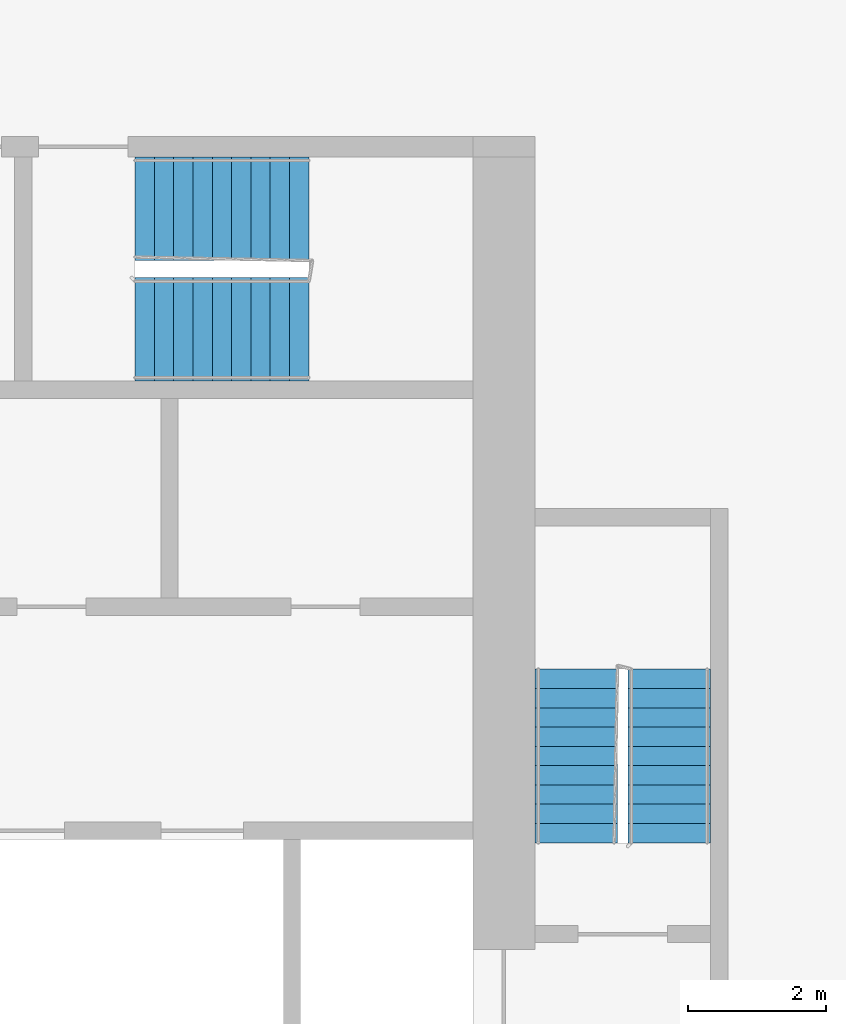
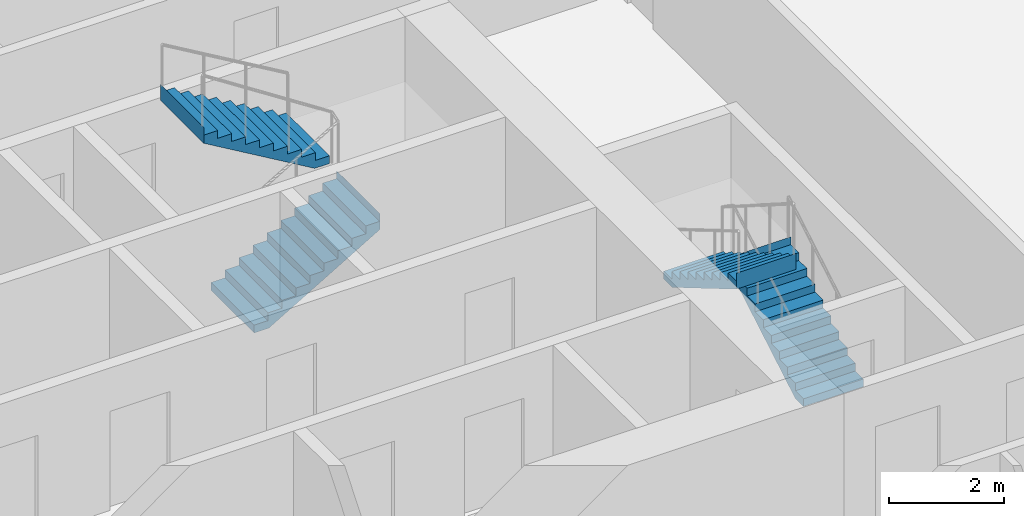
# One storey, part 10 of 11: 4 stair flights, 2 elements without a shape of their own.
"""IFC4 building model written with IfcOpenShell, lengths in metres."""

from ifc_helpers import new_model, si_unit, direction, frame, origin, place, context, subcontext, project, spatial, faceted_brep, material, type_object, element, aggregate, save


model = new_model("IFC4")

# Units and contexts
model_context = context("Model", 3, precision=1e-05, world=origin(), true_north=direction((0.0, 1.0)))
body_context = subcontext(model_context, "Body", "Model", "MODEL_VIEW")
ifc_project = project(units=[si_unit("LENGTHUNIT", "METRE"), si_unit("AREAUNIT", "SQUARE_METRE"), si_unit("VOLUMEUNIT", "CUBIC_METRE"), si_unit("PLANEANGLEUNIT", "RADIAN"), si_unit("MASSUNIT", "GRAM", prefix="KILO")], contexts=[model_context])

# Site, building, storey
site_placement = place(None, origin())
site = spatial("IfcSite", under=ifc_project, at=site_placement, CompositionType="ELEMENT")
building_placement = place(site_placement, origin())
building = spatial("IfcBuilding", under=site, at=building_placement, Name="Kajstack Hotel Tower", CompositionType="ELEMENT")
storey_placement = place(building_placement, frame((0.0, 0.0, 250.699951171875)))
storey = spatial("IfcBuildingStorey", under=building, at=storey_placement, Name="L62", CompositionType="ELEMENT", Elevation=250.699951171875)

# Stair, stair flights
ifc_material = material(Name="Concrete C40/50", Category="concrete")
stair_type_1 = type_object("IfcStairType", Name="Exit stair 1200", PredefinedType="HALF_TURN_STAIR", material=ifc_material)
stair_1_placement = place(storey_placement, origin())
stair_1 = element("IfcStair", 1, at=stair_1_placement, inside=storey, type_object=stair_type_1, Name="L62 stair E1", PredefinedType="HALF_TURN_STAIR")
stair_flight_type_1 = type_object("IfcStairFlightType", Name="Exit stair flight 1200", PredefinedType="STRAIGHT", material=ifc_material)
stair_flight_1_placement = place(storey_placement, frame((33.449951171875, 5.25, 0.0), z_axis=(0.0, 0.0, 1.0), x_axis=(0.0, 1.0, 0.0)))
stair_flight_1 = element("IfcStairFlight", 2, at=stair_flight_1_placement, type_object=stair_flight_type_1, Name="E1 flight 1", NumberOfRisers=10, NumberOfTreads=9, PredefinedType="STRAIGHT", RiserHeight=0.165, TreadLength=0.28, context=body_context, shape_type="Brep", body=[
    faceted_brep([(0.295654296875, -0.60009765625, 0.0), (2.5205078125, -0.60009765625, 1.31103515625), (2.5205078125, -0.60009765625, 1.64990234375), (2.52001953125, -0.60009765625, 1.64990234375), (2.52001953125, -0.60009765625, 1.485107421875), (2.239990234375, -0.60009765625, 1.485107421875), (2.239990234375, -0.60009765625, 1.320068359375), (1.9599609375, -0.60009765625, 1.320068359375), (1.9599609375, -0.60009765625, 1.155029296875), (1.679931640625, -0.60009765625, 1.155029296875), (1.679931640625, -0.60009765625, 0.989990234375), (1.39990234375, -0.60009765625, 0.989990234375), (1.39990234375, -0.60009765625, 0.824951171875), (1.1201171875, -0.60009765625, 0.824951171875), (1.1201171875, -0.60009765625, 0.659912109375), (0.840087890625, -0.60009765625, 0.659912109375), (0.840087890625, -0.60009765625, 0.4951171875), (0.56005859375, -0.60009765625, 0.4951171875), (0.56005859375, -0.60009765625, 0.330078125), (0.280029296875, -0.60009765625, 0.330078125), (0.280029296875, -0.60009765625, 0.1650390625), (-0.00048828125, -0.60009765625, 0.1650390625), (-0.00048828125, -0.60009765625, 0.0), (-0.00048828125, 0.60009765625, 0.0), (-0.00048828125, 0.60009765625, 0.1650390625), (0.280029296875, 0.60009765625, 0.1650390625), (0.280029296875, 0.60009765625, 0.330078125), (0.56005859375, 0.60009765625, 0.330078125), (0.56005859375, 0.60009765625, 0.4951171875), (0.840087890625, 0.60009765625, 0.4951171875), (0.840087890625, 0.60009765625, 0.659912109375), (1.1201171875, 0.60009765625, 0.659912109375), (1.1201171875, 0.60009765625, 0.824951171875), (1.39990234375, 0.60009765625, 0.824951171875), (1.39990234375, 0.60009765625, 0.989990234375), (1.679931640625, 0.60009765625, 0.989990234375), (1.679931640625, 0.60009765625, 1.155029296875), (1.9599609375, 0.60009765625, 1.155029296875), (1.9599609375, 0.60009765625, 1.320068359375), (2.239990234375, 0.60009765625, 1.320068359375), (2.239990234375, 0.60009765625, 1.485107421875), (2.52001953125, 0.60009765625, 1.485107421875), (2.52001953125, 0.60009765625, 1.64990234375), (2.5205078125, 0.60009765625, 1.64990234375), (2.5205078125, 0.60009765625, 1.31103515625), (0.295654296875, 0.60009765625, 0.0), (-0.00048828125, -0.300048828125, 0.1650390625), (-0.00048828125, 0.0, 0.1650390625), (-0.00048828125, 0.300048828125, 0.1650390625), (-0.00048828125, 0.300048828125, 0.0), (-0.00048828125, 0.0, 0.0), (-0.00048828125, -0.300048828125, 0.0), (0.280029296875, -0.300048828125, 0.1650390625), (0.280029296875, 0.0, 0.1650390625), (0.280029296875, 0.300048828125, 0.1650390625), (0.280029296875, -0.300048828125, 0.330078125), (0.280029296875, 0.0, 0.330078125), (0.280029296875, 0.300048828125, 0.330078125), (0.56005859375, -0.300048828125, 0.330078125), (0.56005859375, 0.0, 0.330078125), (0.56005859375, 0.300048828125, 0.330078125), (0.56005859375, -0.300048828125, 0.4951171875), (0.56005859375, 0.0, 0.4951171875), (0.56005859375, 0.300048828125, 0.4951171875), (0.840087890625, -0.300048828125, 0.4951171875), (0.840087890625, 0.0, 0.4951171875), (0.840087890625, 0.300048828125, 0.4951171875), (0.840087890625, -0.300048828125, 0.659912109375), (0.840087890625, 0.0, 0.659912109375), (0.840087890625, 0.300048828125, 0.659912109375), (1.1201171875, -0.300048828125, 0.659912109375), (1.1201171875, 0.0, 0.659912109375), (1.1201171875, 0.300048828125, 0.659912109375), (1.1201171875, -0.300048828125, 0.824951171875), (1.1201171875, 0.0, 0.824951171875), (1.1201171875, 0.300048828125, 0.824951171875), (1.39990234375, -0.300048828125, 0.824951171875), (1.39990234375, 0.0, 0.824951171875), (1.39990234375, 0.300048828125, 0.824951171875), (1.39990234375, -0.300048828125, 0.989990234375), (1.39990234375, 0.0, 0.989990234375), (1.39990234375, 0.300048828125, 0.989990234375), (1.679931640625, -0.300048828125, 0.989990234375), (1.679931640625, 0.0, 0.989990234375), (1.679931640625, 0.300048828125, 0.989990234375), (1.679931640625, -0.300048828125, 1.155029296875), (1.679931640625, 0.0, 1.155029296875), (1.679931640625, 0.300048828125, 1.155029296875), (1.9599609375, -0.300048828125, 1.155029296875), (1.9599609375, 0.0, 1.155029296875), (1.9599609375, 0.300048828125, 1.155029296875), (1.9599609375, -0.300048828125, 1.320068359375), (1.9599609375, 0.0, 1.320068359375), (1.9599609375, 0.300048828125, 1.320068359375), (2.239990234375, -0.300048828125, 1.320068359375), (2.239990234375, 0.0, 1.320068359375), (2.239990234375, 0.300048828125, 1.320068359375), (2.239990234375, -0.300048828125, 1.485107421875), (2.239990234375, 0.0, 1.485107421875), (2.239990234375, 0.300048828125, 1.485107421875), (2.52001953125, -0.300048828125, 1.485107421875), (2.52001953125, 0.0, 1.485107421875), (2.52001953125, 0.300048828125, 1.485107421875), (2.52001953125, -0.300048828125, 1.64990234375), (2.52001953125, 0.0, 1.64990234375), (2.52001953125, 0.300048828125, 1.64990234375), (2.5205078125, -0.300048828125, 1.64990234375), (2.5205078125, 0.0, 1.64990234375), (2.5205078125, 0.300048828125, 1.64990234375), (2.5205078125, -0.300048828125, 1.31103515625), (2.5205078125, 0.0, 1.31103515625), (2.5205078125, 0.300048828125, 1.31103515625), (0.295654296875, -0.300048828125, 0.0), (0.295654296875, 0.0, 0.0), (0.295654296875, 0.300048828125, 0.0)], [[[0, 1, 2, 3, 4, 5, 6, 7, 8, 9, 10, 11, 12, 13, 14, 15, 16, 17, 18, 19, 20, 21, 22]], [[23, 24, 25, 26, 27, 28, 29, 30, 31, 32, 33, 34, 35, 36, 37, 38, 39, 40, 41, 42, 43, 44, 45]], [[21, 46, 47, 48, 24, 23, 49, 50, 51, 22]], [[20, 52, 53, 54, 25, 24, 48, 47, 46, 21]], [[19, 55, 56, 57, 26, 25, 54, 53, 52, 20]], [[18, 58, 59, 60, 27, 26, 57, 56, 55, 19]], [[17, 61, 62, 63, 28, 27, 60, 59, 58, 18]], [[16, 64, 65, 66, 29, 28, 63, 62, 61, 17]], [[15, 67, 68, 69, 30, 29, 66, 65, 64, 16]], [[14, 70, 71, 72, 31, 30, 69, 68, 67, 15]], [[13, 73, 74, 75, 32, 31, 72, 71, 70, 14]], [[12, 76, 77, 78, 33, 32, 75, 74, 73, 13]], [[11, 79, 80, 81, 34, 33, 78, 77, 76, 12]], [[10, 82, 83, 84, 35, 34, 81, 80, 79, 11]], [[9, 85, 86, 87, 36, 35, 84, 83, 82, 10]], [[8, 88, 89, 90, 37, 36, 87, 86, 85, 9]], [[7, 91, 92, 93, 38, 37, 90, 89, 88, 8]], [[6, 94, 95, 96, 39, 38, 93, 92, 91, 7]], [[5, 97, 98, 99, 40, 39, 96, 95, 94, 6]], [[4, 100, 101, 102, 41, 40, 99, 98, 97, 5]], [[3, 103, 104, 105, 42, 41, 102, 101, 100, 4]], [[2, 106, 107, 108, 43, 42, 105, 104, 103, 3]], [[1, 109, 110, 111, 44, 43, 108, 107, 106, 2]], [[0, 112, 113, 114, 45, 44, 111, 110, 109, 1]], [[22, 51, 50, 49, 23, 45, 114, 113, 112, 0]]]),
])
stair_flight_2_placement = place(storey_placement, frame((32.10009765625, 7.77001953125, 1.650146484375), z_axis=(0.0, 0.0, 1.0), x_axis=(0.0, -1.0, 0.0)))
stair_flight_2 = element("IfcStairFlight", 3, at=stair_flight_2_placement, type_object=stair_flight_type_1, Name="E1 flight 2", NumberOfRisers=10, NumberOfTreads=9, PredefinedType="STRAIGHT", RiserHeight=0.165, TreadLength=0.28, context=body_context, shape_type="Brep", body=[
    faceted_brep([(0.295654296875, -0.60009765625, 0.0), (2.5205078125, -0.60009765625, 1.31103515625), (2.5205078125, -0.60009765625, 1.64990234375), (2.52001953125, -0.60009765625, 1.64990234375), (2.52001953125, -0.60009765625, 1.485107421875), (2.239990234375, -0.60009765625, 1.485107421875), (2.239990234375, -0.60009765625, 1.320068359375), (1.9599609375, -0.60009765625, 1.320068359375), (1.9599609375, -0.60009765625, 1.155029296875), (1.679931640625, -0.60009765625, 1.155029296875), (1.679931640625, -0.60009765625, 0.989990234375), (1.39990234375, -0.60009765625, 0.989990234375), (1.39990234375, -0.60009765625, 0.824951171875), (1.1201171875, -0.60009765625, 0.824951171875), (1.1201171875, -0.60009765625, 0.659912109375), (0.840087890625, -0.60009765625, 0.659912109375), (0.840087890625, -0.60009765625, 0.4951171875), (0.56005859375, -0.60009765625, 0.4951171875), (0.56005859375, -0.60009765625, 0.330078125), (0.280029296875, -0.60009765625, 0.330078125), (0.280029296875, -0.60009765625, 0.1650390625), (-0.00048828125, -0.60009765625, 0.1650390625), (-0.00048828125, -0.60009765625, 0.0), (-0.00048828125, 0.60009765625, 0.0), (-0.00048828125, 0.60009765625, 0.1650390625), (0.280029296875, 0.60009765625, 0.1650390625), (0.280029296875, 0.60009765625, 0.330078125), (0.56005859375, 0.60009765625, 0.330078125), (0.56005859375, 0.60009765625, 0.4951171875), (0.840087890625, 0.60009765625, 0.4951171875), (0.840087890625, 0.60009765625, 0.659912109375), (1.1201171875, 0.60009765625, 0.659912109375), (1.1201171875, 0.60009765625, 0.824951171875), (1.39990234375, 0.60009765625, 0.824951171875), (1.39990234375, 0.60009765625, 0.989990234375), (1.679931640625, 0.60009765625, 0.989990234375), (1.679931640625, 0.60009765625, 1.155029296875), (1.9599609375, 0.60009765625, 1.155029296875), (1.9599609375, 0.60009765625, 1.320068359375), (2.239990234375, 0.60009765625, 1.320068359375), (2.239990234375, 0.60009765625, 1.485107421875), (2.52001953125, 0.60009765625, 1.485107421875), (2.52001953125, 0.60009765625, 1.64990234375), (2.5205078125, 0.60009765625, 1.64990234375), (2.5205078125, 0.60009765625, 1.31103515625), (0.295654296875, 0.60009765625, 0.0), (-0.00048828125, -0.300048828125, 0.1650390625), (-0.00048828125, 0.0, 0.1650390625), (-0.00048828125, 0.300048828125, 0.1650390625), (-0.00048828125, 0.300048828125, 0.0), (-0.00048828125, 0.0, 0.0), (-0.00048828125, -0.300048828125, 0.0), (0.280029296875, -0.300048828125, 0.1650390625), (0.280029296875, 0.0, 0.1650390625), (0.280029296875, 0.300048828125, 0.1650390625), (0.280029296875, -0.300048828125, 0.330078125), (0.280029296875, 0.0, 0.330078125), (0.280029296875, 0.300048828125, 0.330078125), (0.56005859375, -0.300048828125, 0.330078125), (0.56005859375, 0.0, 0.330078125), (0.56005859375, 0.300048828125, 0.330078125), (0.56005859375, -0.300048828125, 0.4951171875), (0.56005859375, 0.0, 0.4951171875), (0.56005859375, 0.300048828125, 0.4951171875), (0.840087890625, -0.300048828125, 0.4951171875), (0.840087890625, 0.0, 0.4951171875), (0.840087890625, 0.300048828125, 0.4951171875), (0.840087890625, -0.300048828125, 0.659912109375), (0.840087890625, 0.0, 0.659912109375), (0.840087890625, 0.300048828125, 0.659912109375), (1.1201171875, -0.300048828125, 0.659912109375), (1.1201171875, 0.0, 0.659912109375), (1.1201171875, 0.300048828125, 0.659912109375), (1.1201171875, -0.300048828125, 0.824951171875), (1.1201171875, 0.0, 0.824951171875), (1.1201171875, 0.300048828125, 0.824951171875), (1.39990234375, -0.300048828125, 0.824951171875), (1.39990234375, 0.0, 0.824951171875), (1.39990234375, 0.300048828125, 0.824951171875), (1.39990234375, -0.300048828125, 0.989990234375), (1.39990234375, 0.0, 0.989990234375), (1.39990234375, 0.300048828125, 0.989990234375), (1.679931640625, -0.300048828125, 0.989990234375), (1.679931640625, 0.0, 0.989990234375), (1.679931640625, 0.300048828125, 0.989990234375), (1.679931640625, -0.300048828125, 1.155029296875), (1.679931640625, 0.0, 1.155029296875), (1.679931640625, 0.300048828125, 1.155029296875), (1.9599609375, -0.300048828125, 1.155029296875), (1.9599609375, 0.0, 1.155029296875), (1.9599609375, 0.300048828125, 1.155029296875), (1.9599609375, -0.300048828125, 1.320068359375), (1.9599609375, 0.0, 1.320068359375), (1.9599609375, 0.300048828125, 1.320068359375), (2.239990234375, -0.300048828125, 1.320068359375), (2.239990234375, 0.0, 1.320068359375), (2.239990234375, 0.300048828125, 1.320068359375), (2.239990234375, -0.300048828125, 1.485107421875), (2.239990234375, 0.0, 1.485107421875), (2.239990234375, 0.300048828125, 1.485107421875), (2.52001953125, -0.300048828125, 1.485107421875), (2.52001953125, 0.0, 1.485107421875), (2.52001953125, 0.300048828125, 1.485107421875), (2.52001953125, -0.300048828125, 1.64990234375), (2.52001953125, 0.0, 1.64990234375), (2.52001953125, 0.300048828125, 1.64990234375), (2.5205078125, -0.300048828125, 1.64990234375), (2.5205078125, 0.0, 1.64990234375), (2.5205078125, 0.300048828125, 1.64990234375), (2.5205078125, -0.300048828125, 1.31103515625), (2.5205078125, 0.0, 1.31103515625), (2.5205078125, 0.300048828125, 1.31103515625), (0.295654296875, -0.300048828125, 0.0), (0.295654296875, 0.0, 0.0), (0.295654296875, 0.300048828125, 0.0)], [[[0, 1, 2, 3, 4, 5, 6, 7, 8, 9, 10, 11, 12, 13, 14, 15, 16, 17, 18, 19, 20, 21, 22]], [[23, 24, 25, 26, 27, 28, 29, 30, 31, 32, 33, 34, 35, 36, 37, 38, 39, 40, 41, 42, 43, 44, 45]], [[21, 46, 47, 48, 24, 23, 49, 50, 51, 22]], [[20, 52, 53, 54, 25, 24, 48, 47, 46, 21]], [[19, 55, 56, 57, 26, 25, 54, 53, 52, 20]], [[18, 58, 59, 60, 27, 26, 57, 56, 55, 19]], [[17, 61, 62, 63, 28, 27, 60, 59, 58, 18]], [[16, 64, 65, 66, 29, 28, 63, 62, 61, 17]], [[15, 67, 68, 69, 30, 29, 66, 65, 64, 16]], [[14, 70, 71, 72, 31, 30, 69, 68, 67, 15]], [[13, 73, 74, 75, 32, 31, 72, 71, 70, 14]], [[12, 76, 77, 78, 33, 32, 75, 74, 73, 13]], [[11, 79, 80, 81, 34, 33, 78, 77, 76, 12]], [[10, 82, 83, 84, 35, 34, 81, 80, 79, 11]], [[9, 85, 86, 87, 36, 35, 84, 83, 82, 10]], [[8, 88, 89, 90, 37, 36, 87, 86, 85, 9]], [[7, 91, 92, 93, 38, 37, 90, 89, 88, 8]], [[6, 94, 95, 96, 39, 38, 93, 92, 91, 7]], [[5, 97, 98, 99, 40, 39, 96, 95, 94, 6]], [[4, 100, 101, 102, 41, 40, 99, 98, 97, 5]], [[3, 103, 104, 105, 42, 41, 102, 101, 100, 4]], [[2, 106, 107, 108, 43, 42, 105, 104, 103, 3]], [[1, 109, 110, 111, 44, 43, 108, 107, 106, 2]], [[0, 112, 113, 114, 45, 44, 111, 110, 109, 1]], [[22, 51, 50, 49, 23, 45, 114, 113, 112, 0]]]),
])
aggregate(stair_1, [stair_flight_1, stair_flight_2])

stair_type_2 = type_object("IfcStairType", Name="Exit stair 1500", PredefinedType="HALF_TURN_STAIR", material=ifc_material)
stair_2_placement = place(storey_placement, origin())
stair_2 = element("IfcStair", 4, at=stair_2_placement, inside=storey, type_object=stair_type_2, Name="L62 stair E3", PredefinedType="HALF_TURN_STAIR")
stair_flight_type_2 = type_object("IfcStairFlightType", Name="Exit stair flight 1500", PredefinedType="STRAIGHT", material=ifc_material)
stair_flight_3_placement = place(storey_placement, frame((25.699951171875, 12.699951171875, 0.0), z_axis=(0.0, 0.0, 1.0), x_axis=(1.0, 0.0, 0.0)))
stair_flight_3 = element("IfcStairFlight", 5, at=stair_flight_3_placement, type_object=stair_flight_type_2, Name="E3 flight 1", NumberOfRisers=10, NumberOfTreads=9, PredefinedType="STRAIGHT", RiserHeight=0.165, TreadLength=0.28, context=body_context, shape_type="Brep", body=[
    faceted_brep([(0.295654296875, -0.75, 0.0), (2.5205078125, -0.75, 1.31103515625), (2.5205078125, -0.75, 1.64990234375), (2.52001953125, -0.75, 1.64990234375), (2.52001953125, -0.75, 1.485107421875), (2.239990234375, -0.75, 1.485107421875), (2.239990234375, -0.75, 1.320068359375), (1.9599609375, -0.75, 1.320068359375), (1.9599609375, -0.75, 1.155029296875), (1.679931640625, -0.75, 1.155029296875), (1.679931640625, -0.75, 0.989990234375), (1.39990234375, -0.75, 0.989990234375), (1.39990234375, -0.75, 0.824951171875), (1.1201171875, -0.75, 0.824951171875), (1.1201171875, -0.75, 0.659912109375), (0.840087890625, -0.75, 0.659912109375), (0.840087890625, -0.75, 0.4951171875), (0.56005859375, -0.75, 0.4951171875), (0.56005859375, -0.75, 0.330078125), (0.280029296875, -0.75, 0.330078125), (0.280029296875, -0.75, 0.1650390625), (-0.00048828125, -0.75, 0.1650390625), (-0.00048828125, -0.75, 0.0), (-0.00048828125, 0.75, 0.0), (-0.00048828125, 0.75, 0.1650390625), (0.280029296875, 0.75, 0.1650390625), (0.280029296875, 0.75, 0.330078125), (0.56005859375, 0.75, 0.330078125), (0.56005859375, 0.75, 0.4951171875), (0.840087890625, 0.75, 0.4951171875), (0.840087890625, 0.75, 0.659912109375), (1.1201171875, 0.75, 0.659912109375), (1.1201171875, 0.75, 0.824951171875), (1.39990234375, 0.75, 0.824951171875), (1.39990234375, 0.75, 0.989990234375), (1.679931640625, 0.75, 0.989990234375), (1.679931640625, 0.75, 1.155029296875), (1.9599609375, 0.75, 1.155029296875), (1.9599609375, 0.75, 1.320068359375), (2.239990234375, 0.75, 1.320068359375), (2.239990234375, 0.75, 1.485107421875), (2.52001953125, 0.75, 1.485107421875), (2.52001953125, 0.75, 1.64990234375), (2.5205078125, 0.75, 1.64990234375), (2.5205078125, 0.75, 1.31103515625), (0.295654296875, 0.75, 0.0), (-0.00048828125, -0.375, 0.1650390625), (-0.00048828125, 0.0, 0.1650390625), (-0.00048828125, 0.375, 0.1650390625), (-0.00048828125, 0.375, 0.0), (-0.00048828125, 0.0, 0.0), (-0.00048828125, -0.375, 0.0), (0.280029296875, -0.375, 0.1650390625), (0.280029296875, 0.0, 0.1650390625), (0.280029296875, 0.375, 0.1650390625), (0.280029296875, -0.375, 0.330078125), (0.280029296875, 0.0, 0.330078125), (0.280029296875, 0.375, 0.330078125), (0.56005859375, -0.375, 0.330078125), (0.56005859375, 0.0, 0.330078125), (0.56005859375, 0.375, 0.330078125), (0.56005859375, -0.375, 0.4951171875), (0.56005859375, 0.0, 0.4951171875), (0.56005859375, 0.375, 0.4951171875), (0.840087890625, -0.375, 0.4951171875), (0.840087890625, 0.0, 0.4951171875), (0.840087890625, 0.375, 0.4951171875), (0.840087890625, -0.375, 0.659912109375), (0.840087890625, 0.0, 0.659912109375), (0.840087890625, 0.375, 0.659912109375), (1.1201171875, -0.375, 0.659912109375), (1.1201171875, 0.0, 0.659912109375), (1.1201171875, 0.375, 0.659912109375), (1.1201171875, -0.375, 0.824951171875), (1.1201171875, 0.0, 0.824951171875), (1.1201171875, 0.375, 0.824951171875), (1.39990234375, -0.375, 0.824951171875), (1.39990234375, 0.0, 0.824951171875), (1.39990234375, 0.375, 0.824951171875), (1.39990234375, -0.375, 0.989990234375), (1.39990234375, 0.0, 0.989990234375), (1.39990234375, 0.375, 0.989990234375), (1.679931640625, -0.375, 0.989990234375), (1.679931640625, 0.0, 0.989990234375), (1.679931640625, 0.375, 0.989990234375), (1.679931640625, -0.375, 1.155029296875), (1.679931640625, 0.0, 1.155029296875), (1.679931640625, 0.375, 1.155029296875), (1.9599609375, -0.375, 1.155029296875), (1.9599609375, 0.0, 1.155029296875), (1.9599609375, 0.375, 1.155029296875), (1.9599609375, -0.375, 1.320068359375), (1.9599609375, 0.0, 1.320068359375), (1.9599609375, 0.375, 1.320068359375), (2.239990234375, -0.375, 1.320068359375), (2.239990234375, 0.0, 1.320068359375), (2.239990234375, 0.375, 1.320068359375), (2.239990234375, -0.375, 1.485107421875), (2.239990234375, 0.0, 1.485107421875), (2.239990234375, 0.375, 1.485107421875), (2.52001953125, -0.375, 1.485107421875), (2.52001953125, 0.0, 1.485107421875), (2.52001953125, 0.375, 1.485107421875), (2.52001953125, -0.375, 1.64990234375), (2.52001953125, 0.0, 1.64990234375), (2.52001953125, 0.375, 1.64990234375), (2.5205078125, -0.375, 1.64990234375), (2.5205078125, 0.0, 1.64990234375), (2.5205078125, 0.375, 1.64990234375), (2.5205078125, -0.375, 1.31103515625), (2.5205078125, 0.0, 1.31103515625), (2.5205078125, 0.375, 1.31103515625), (0.295654296875, -0.375, 0.0), (0.295654296875, 0.0, 0.0), (0.295654296875, 0.375, 0.0)], [[[0, 1, 2, 3, 4, 5, 6, 7, 8, 9, 10, 11, 12, 13, 14, 15, 16, 17, 18, 19, 20, 21, 22]], [[23, 24, 25, 26, 27, 28, 29, 30, 31, 32, 33, 34, 35, 36, 37, 38, 39, 40, 41, 42, 43, 44, 45]], [[21, 46, 47, 48, 24, 23, 49, 50, 51, 22]], [[20, 52, 53, 54, 25, 24, 48, 47, 46, 21]], [[19, 55, 56, 57, 26, 25, 54, 53, 52, 20]], [[18, 58, 59, 60, 27, 26, 57, 56, 55, 19]], [[17, 61, 62, 63, 28, 27, 60, 59, 58, 18]], [[16, 64, 65, 66, 29, 28, 63, 62, 61, 17]], [[15, 67, 68, 69, 30, 29, 66, 65, 64, 16]], [[14, 70, 71, 72, 31, 30, 69, 68, 67, 15]], [[13, 73, 74, 75, 32, 31, 72, 71, 70, 14]], [[12, 76, 77, 78, 33, 32, 75, 74, 73, 13]], [[11, 79, 80, 81, 34, 33, 78, 77, 76, 12]], [[10, 82, 83, 84, 35, 34, 81, 80, 79, 11]], [[9, 85, 86, 87, 36, 35, 84, 83, 82, 10]], [[8, 88, 89, 90, 37, 36, 87, 86, 85, 9]], [[7, 91, 92, 93, 38, 37, 90, 89, 88, 8]], [[6, 94, 95, 96, 39, 38, 93, 92, 91, 7]], [[5, 97, 98, 99, 40, 39, 96, 95, 94, 6]], [[4, 100, 101, 102, 41, 40, 99, 98, 97, 5]], [[3, 103, 104, 105, 42, 41, 102, 101, 100, 4]], [[2, 106, 107, 108, 43, 42, 105, 104, 103, 3]], [[1, 109, 110, 111, 44, 43, 108, 107, 106, 2]], [[0, 112, 113, 114, 45, 44, 111, 110, 109, 1]], [[22, 51, 50, 49, 23, 45, 114, 113, 112, 0]]]),
])
stair_flight_4_placement = place(storey_placement, frame((28.219970703125, 14.449951171875, 1.650146484375), z_axis=(0.0, 0.0, 1.0), x_axis=(-1.0, 0.0, 0.0)))
stair_flight_4 = element("IfcStairFlight", 6, at=stair_flight_4_placement, type_object=stair_flight_type_2, Name="E3 flight 2", NumberOfRisers=10, NumberOfTreads=9, PredefinedType="STRAIGHT", RiserHeight=0.165, TreadLength=0.28, context=body_context, shape_type="Brep", body=[
    faceted_brep([(0.295654296875, -0.75, 0.0), (2.5205078125, -0.75, 1.31103515625), (2.5205078125, -0.75, 1.64990234375), (2.52001953125, -0.75, 1.64990234375), (2.52001953125, -0.75, 1.485107421875), (2.239990234375, -0.75, 1.485107421875), (2.239990234375, -0.75, 1.320068359375), (1.9599609375, -0.75, 1.320068359375), (1.9599609375, -0.75, 1.155029296875), (1.679931640625, -0.75, 1.155029296875), (1.679931640625, -0.75, 0.989990234375), (1.39990234375, -0.75, 0.989990234375), (1.39990234375, -0.75, 0.824951171875), (1.1201171875, -0.75, 0.824951171875), (1.1201171875, -0.75, 0.659912109375), (0.840087890625, -0.75, 0.659912109375), (0.840087890625, -0.75, 0.4951171875), (0.56005859375, -0.75, 0.4951171875), (0.56005859375, -0.75, 0.330078125), (0.280029296875, -0.75, 0.330078125), (0.280029296875, -0.75, 0.1650390625), (-0.00048828125, -0.75, 0.1650390625), (-0.00048828125, -0.75, 0.0), (-0.00048828125, 0.75, 0.0), (-0.00048828125, 0.75, 0.1650390625), (0.280029296875, 0.75, 0.1650390625), (0.280029296875, 0.75, 0.330078125), (0.56005859375, 0.75, 0.330078125), (0.56005859375, 0.75, 0.4951171875), (0.840087890625, 0.75, 0.4951171875), (0.840087890625, 0.75, 0.659912109375), (1.1201171875, 0.75, 0.659912109375), (1.1201171875, 0.75, 0.824951171875), (1.39990234375, 0.75, 0.824951171875), (1.39990234375, 0.75, 0.989990234375), (1.679931640625, 0.75, 0.989990234375), (1.679931640625, 0.75, 1.155029296875), (1.9599609375, 0.75, 1.155029296875), (1.9599609375, 0.75, 1.320068359375), (2.239990234375, 0.75, 1.320068359375), (2.239990234375, 0.75, 1.485107421875), (2.52001953125, 0.75, 1.485107421875), (2.52001953125, 0.75, 1.64990234375), (2.5205078125, 0.75, 1.64990234375), (2.5205078125, 0.75, 1.31103515625), (0.295654296875, 0.75, 0.0), (-0.00048828125, -0.375, 0.1650390625), (-0.00048828125, 0.0, 0.1650390625), (-0.00048828125, 0.375, 0.1650390625), (-0.00048828125, 0.375, 0.0), (-0.00048828125, 0.0, 0.0), (-0.00048828125, -0.375, 0.0), (0.280029296875, -0.375, 0.1650390625), (0.280029296875, 0.0, 0.1650390625), (0.280029296875, 0.375, 0.1650390625), (0.280029296875, -0.375, 0.330078125), (0.280029296875, 0.0, 0.330078125), (0.280029296875, 0.375, 0.330078125), (0.56005859375, -0.375, 0.330078125), (0.56005859375, 0.0, 0.330078125), (0.56005859375, 0.375, 0.330078125), (0.56005859375, -0.375, 0.4951171875), (0.56005859375, 0.0, 0.4951171875), (0.56005859375, 0.375, 0.4951171875), (0.840087890625, -0.375, 0.4951171875), (0.840087890625, 0.0, 0.4951171875), (0.840087890625, 0.375, 0.4951171875), (0.840087890625, -0.375, 0.659912109375), (0.840087890625, 0.0, 0.659912109375), (0.840087890625, 0.375, 0.659912109375), (1.1201171875, -0.375, 0.659912109375), (1.1201171875, 0.0, 0.659912109375), (1.1201171875, 0.375, 0.659912109375), (1.1201171875, -0.375, 0.824951171875), (1.1201171875, 0.0, 0.824951171875), (1.1201171875, 0.375, 0.824951171875), (1.39990234375, -0.375, 0.824951171875), (1.39990234375, 0.0, 0.824951171875), (1.39990234375, 0.375, 0.824951171875), (1.39990234375, -0.375, 0.989990234375), (1.39990234375, 0.0, 0.989990234375), (1.39990234375, 0.375, 0.989990234375), (1.679931640625, -0.375, 0.989990234375), (1.679931640625, 0.0, 0.989990234375), (1.679931640625, 0.375, 0.989990234375), (1.679931640625, -0.375, 1.155029296875), (1.679931640625, 0.0, 1.155029296875), (1.679931640625, 0.375, 1.155029296875), (1.9599609375, -0.375, 1.155029296875), (1.9599609375, 0.0, 1.155029296875), (1.9599609375, 0.375, 1.155029296875), (1.9599609375, -0.375, 1.320068359375), (1.9599609375, 0.0, 1.320068359375), (1.9599609375, 0.375, 1.320068359375), (2.239990234375, -0.375, 1.320068359375), (2.239990234375, 0.0, 1.320068359375), (2.239990234375, 0.375, 1.320068359375), (2.239990234375, -0.375, 1.485107421875), (2.239990234375, 0.0, 1.485107421875), (2.239990234375, 0.375, 1.485107421875), (2.52001953125, -0.375, 1.485107421875), (2.52001953125, 0.0, 1.485107421875), (2.52001953125, 0.375, 1.485107421875), (2.52001953125, -0.375, 1.64990234375), (2.52001953125, 0.0, 1.64990234375), (2.52001953125, 0.375, 1.64990234375), (2.5205078125, -0.375, 1.64990234375), (2.5205078125, 0.0, 1.64990234375), (2.5205078125, 0.375, 1.64990234375), (2.5205078125, -0.375, 1.31103515625), (2.5205078125, 0.0, 1.31103515625), (2.5205078125, 0.375, 1.31103515625), (0.295654296875, -0.375, 0.0), (0.295654296875, 0.0, 0.0), (0.295654296875, 0.375, 0.0)], [[[0, 1, 2, 3, 4, 5, 6, 7, 8, 9, 10, 11, 12, 13, 14, 15, 16, 17, 18, 19, 20, 21, 22]], [[23, 24, 25, 26, 27, 28, 29, 30, 31, 32, 33, 34, 35, 36, 37, 38, 39, 40, 41, 42, 43, 44, 45]], [[21, 46, 47, 48, 24, 23, 49, 50, 51, 22]], [[20, 52, 53, 54, 25, 24, 48, 47, 46, 21]], [[19, 55, 56, 57, 26, 25, 54, 53, 52, 20]], [[18, 58, 59, 60, 27, 26, 57, 56, 55, 19]], [[17, 61, 62, 63, 28, 27, 60, 59, 58, 18]], [[16, 64, 65, 66, 29, 28, 63, 62, 61, 17]], [[15, 67, 68, 69, 30, 29, 66, 65, 64, 16]], [[14, 70, 71, 72, 31, 30, 69, 68, 67, 15]], [[13, 73, 74, 75, 32, 31, 72, 71, 70, 14]], [[12, 76, 77, 78, 33, 32, 75, 74, 73, 13]], [[11, 79, 80, 81, 34, 33, 78, 77, 76, 12]], [[10, 82, 83, 84, 35, 34, 81, 80, 79, 11]], [[9, 85, 86, 87, 36, 35, 84, 83, 82, 10]], [[8, 88, 89, 90, 37, 36, 87, 86, 85, 9]], [[7, 91, 92, 93, 38, 37, 90, 89, 88, 8]], [[6, 94, 95, 96, 39, 38, 93, 92, 91, 7]], [[5, 97, 98, 99, 40, 39, 96, 95, 94, 6]], [[4, 100, 101, 102, 41, 40, 99, 98, 97, 5]], [[3, 103, 104, 105, 42, 41, 102, 101, 100, 4]], [[2, 106, 107, 108, 43, 42, 105, 104, 103, 3]], [[1, 109, 110, 111, 44, 43, 108, 107, 106, 2]], [[0, 112, 113, 114, 45, 44, 111, 110, 109, 1]], [[22, 51, 50, 49, 23, 45, 114, 113, 112, 0]]]),
])
aggregate(stair_2, [stair_flight_3, stair_flight_4])

save(model, "model.ifc")
